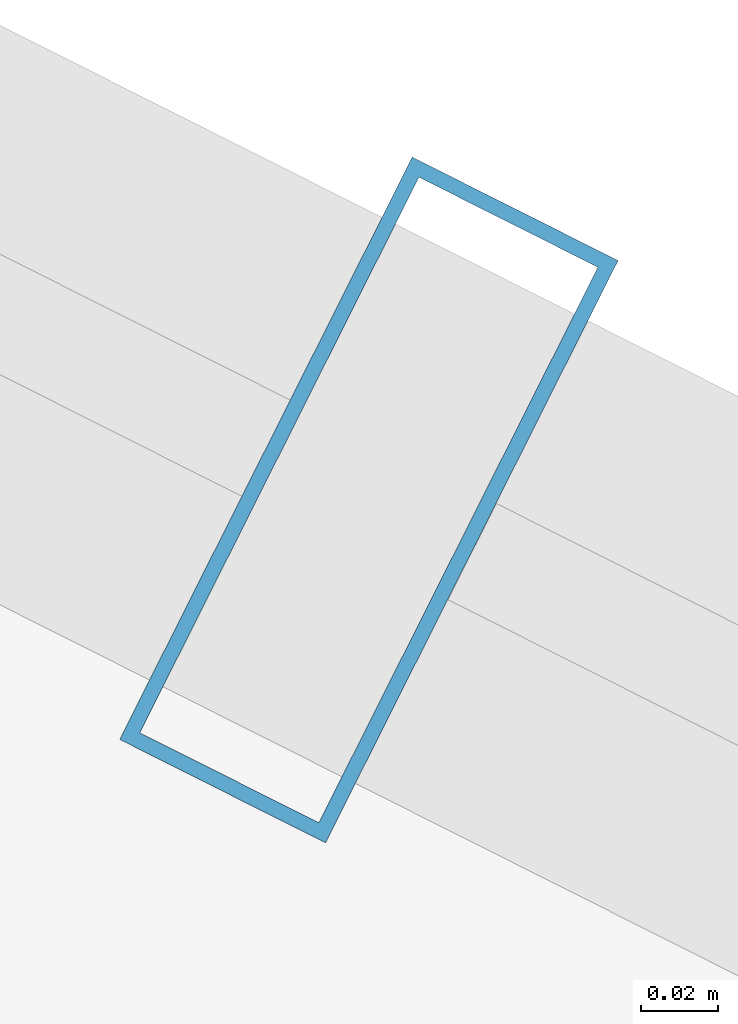
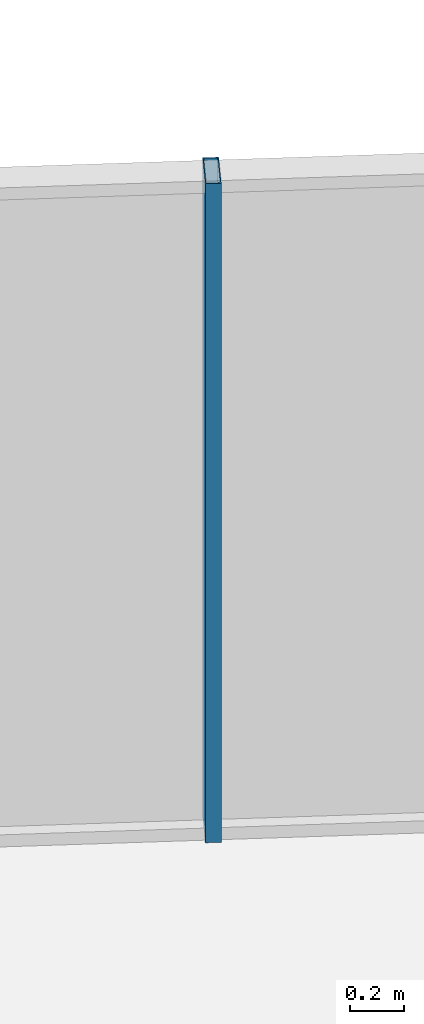
# One storey, part 23 of 33: 1 member, 1 element without a shape of its own.
"""IFC4 building model written with IfcOpenShell, lengths in metres."""

from ifc_helpers import new_model, si_unit, direction, frame, origin, origin_2d, place, context, subcontext, project, spatial, hollow_rectangle, extrude, source, transform, mapped, material, layer, layer_set, material_profile, profile_set, type_object, element, aggregate, save


model = new_model("IFC4")

# Units and contexts
model_context = context("Model", 3, precision=1e-05, world=origin(), true_north=direction((0.0, 1.0)))
body_context = subcontext(model_context, "Body", "Model", "MODEL_VIEW")
ifc_project = project(units=[si_unit("LENGTHUNIT", "METRE"), si_unit("AREAUNIT", "SQUARE_METRE"), si_unit("VOLUMEUNIT", "CUBIC_METRE"), si_unit("PLANEANGLEUNIT", "RADIAN"), si_unit("MASSUNIT", "GRAM", prefix="KILO")], contexts=[model_context])

# Site, building, storey
site_placement = place(None, origin())
site = spatial("IfcSite", under=ifc_project, at=site_placement, CompositionType="ELEMENT")
building_placement = place(site_placement, origin())
building = spatial("IfcBuilding", under=site, at=building_placement, Name="Veraguas Prism Commons", CompositionType="ELEMENT")
storey_placement = place(building_placement, frame((0.0, 0.0, 139.25)))
storey = spatial("IfcBuildingStorey", under=building, at=storey_placement, Name="L39", CompositionType="ELEMENT", Elevation=139.25)

# Curtain wall, member
ifc_material = material(Name="Anodised aluminium EN AW-6063 T6", Category="aluminium")
ifc_layer = layer(ifc_material, 0.169921875, Name="Unitised Flush Curtain Wall Zone 2", Category="aluminium")
ifc_layer_set = layer_set([ifc_layer], Name="Anodised aluminium EN AW-6063 T6")
curtain_wall_type = type_object("IfcCurtainWallType", Name="Unitised Flush Curtain Wall Zone 2", PredefinedType="NOTDEFINED", material=ifc_layer_set)
curtain_wall_placement = place(storey_placement, origin())
curtain_wall = element("IfcCurtainWall", 1, at=curtain_wall_placement, inside=storey, type_object=curtain_wall_type, Name="Tower Facade Curtain Wall L39-F1", PredefinedType="NOTDEFINED")
ifc_material_profile = material_profile(ifc_material, hollow_rectangle(XDim=0.06005859375, YDim=0.169921875, WallThickness=0.00390625, at=origin_2d()), Name="AL60X170X4")
ifc_profile_set = profile_set([ifc_material_profile], Name="Anodised aluminium EN AW-6063 T6")
member_type = type_object("IfcMemberType", Name="Curtain Wall Mullion Lower AL 60x170x4", PredefinedType="MULLION", material=ifc_profile_set)
shared_shape = source(origin(), body_context, "Body", "SweptSolid", [
    extrude(hollow_rectangle(XDim=0.06005859375, YDim=0.169921875, WallThickness=0.00390625, at=origin_2d()), origin(), (0.0, 0.0, 1.0), 3.0),
])
member_placement = place(storey_placement, frame((32.613037109375, 41.14013671875, 0.0), z_axis=(0.0, 0.0, 1.0), x_axis=(-0.893525824808, 0.449011804301, 0.0)))
member = element("IfcMember", 2, at=member_placement, type_object=member_type, Name="CW-Z2 Mullion 3", PredefinedType="MULLION", context=body_context, shape_type="MappedRepresentation", body=[
    mapped(shared_shape, transform((0.0, 0.0, 0.0), scale=1.0)),
])
aggregate(curtain_wall, [member])

save(model, "model.ifc")
